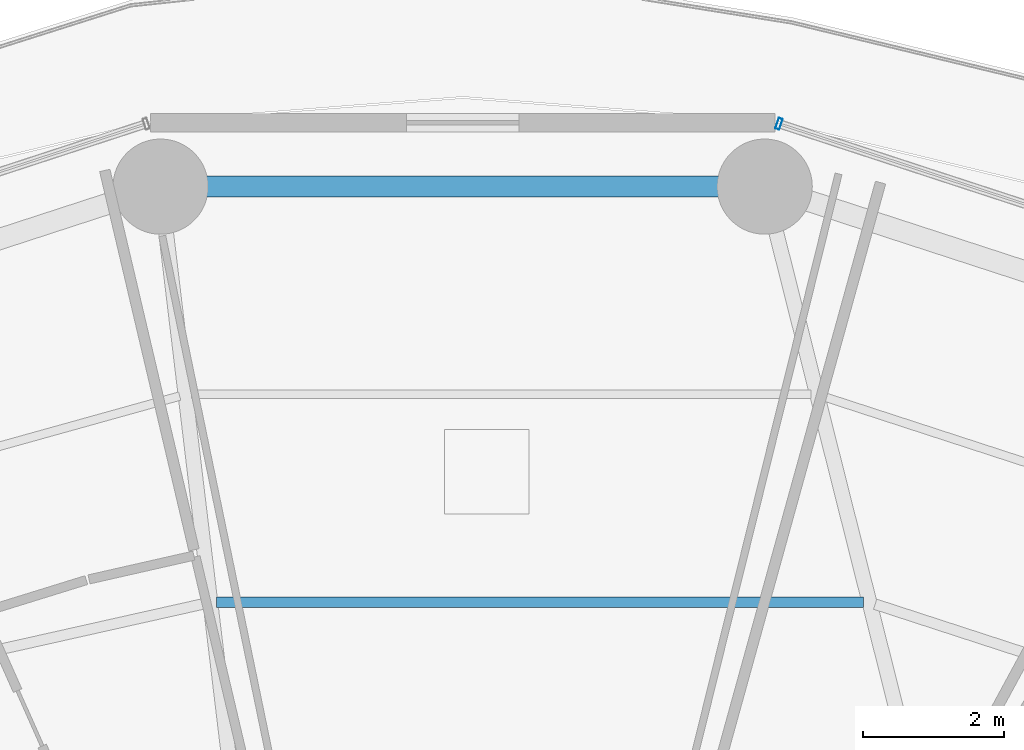
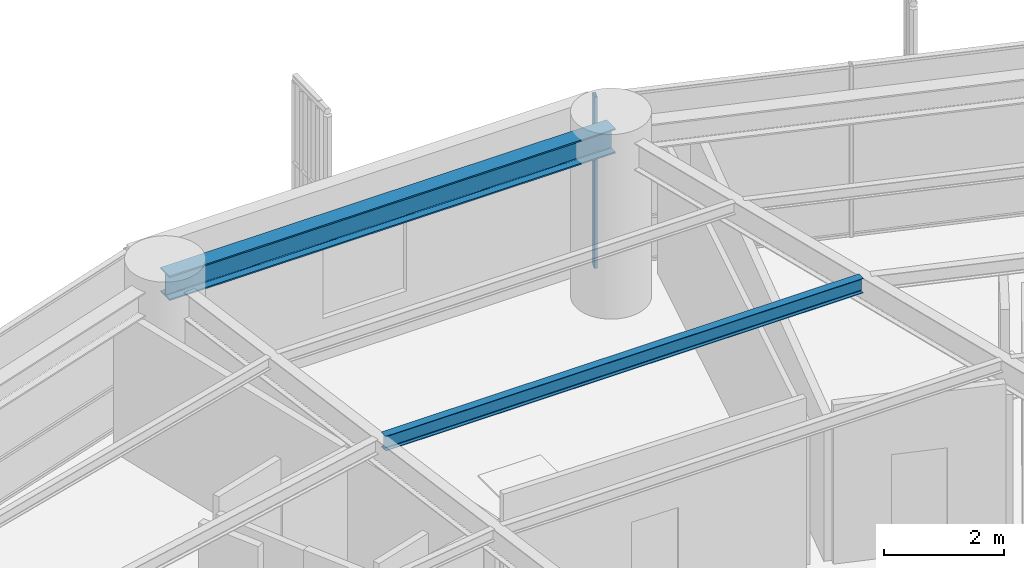
# One storey, part 22 of 36: 2 beams, 1 member, 1 element without a shape of its own.
"""IFC4 building model written with IfcOpenShell, lengths in metres."""

from ifc_helpers import new_model, si_unit, direction, frame, origin, origin_2d, place, context, subcontext, project, spatial, hollow_rectangle, i_section, extrude, material, layer, layer_set, material_profile, profile_set, type_object, element, aggregate, save


model = new_model("IFC4")

# Units and contexts
model_context = context("Model", 3, precision=1e-05, world=origin(), true_north=direction((0.0, 1.0)))
body_context = subcontext(model_context, "Body", "Model", "MODEL_VIEW")
ifc_project = project(units=[si_unit("LENGTHUNIT", "METRE"), si_unit("AREAUNIT", "SQUARE_METRE"), si_unit("VOLUMEUNIT", "CUBIC_METRE"), si_unit("PLANEANGLEUNIT", "RADIAN"), si_unit("MASSUNIT", "GRAM", prefix="KILO")], contexts=[model_context])

# Site, building, storey
site_placement = place(None, origin())
site = spatial("IfcSite", under=ifc_project, at=site_placement, CompositionType="ELEMENT")
building_placement = place(site_placement, origin())
building = spatial("IfcBuilding", under=site, at=building_placement, Name="Kelanora Arch Commons", CompositionType="ELEMENT")
storey_placement = place(building_placement, frame((0.0, 0.0, 98.85009765625)))
storey = spatial("IfcBuildingStorey", under=building, at=storey_placement, Name="L25", CompositionType="ELEMENT", Elevation=98.85009765625)

# Beams
ifc_material_1 = material(Name="Steel S355", Category="steel")
ifc_material_profile_1 = material_profile(ifc_material_1, i_section(OverallWidth=0.14990234375, OverallDepth=0.300048828125, WebThickness=0.007080078125, FlangeThickness=0.0107421875, FilletRadius=0.014892578125, at=origin_2d()), Name="IPE300")
ifc_profile_set_1 = profile_set([ifc_material_profile_1], Name="Steel S355")
beam_type_1 = type_object("IfcBeamType", Name="BM-JST-01", PredefinedType="JOIST", material=ifc_profile_set_1)
beam_1_placement = place(storey_placement, frame((79.686279296875, 73.8466796875, 3.33984375), z_axis=(-1.0, 0.0, 0.0), x_axis=(0.0, -1.0, 0.0)))
element("IfcBeam", 1, at=beam_1_placement, inside=storey, type_object=beam_type_1, Name="Secondary Chord Joist BJB-08 L25", PredefinedType="JOIST", context=body_context, shape_type="SweptSolid", body=[
    extrude(i_section(OverallWidth=0.14990234375, OverallDepth=0.300048828125, WebThickness=0.007080078125, FlangeThickness=0.0107421875, FilletRadius=0.014892578125, at=origin_2d()), origin(), (0.0, 0.0, 1.0), 9.1806640625),
])
ifc_material_profile_2 = material_profile(ifc_material_1, i_section(OverallWidth=0.300048828125, OverallDepth=0.5, WebThickness=0.014404296875, FlangeThickness=0.028076171875, FilletRadius=0.027099609375, at=origin_2d()), Name="HEB500")
ifc_profile_set_2 = profile_set([ifc_material_profile_2], Name="Steel S355")
beam_type_2 = type_object("IfcBeamType", Name="BM-SPN-Z2", PredefinedType="SPANDREL", material=ifc_profile_set_2)
beam_2_placement = place(storey_placement, frame((78.28564453125, 79.74462890625, 3.239990234375), z_axis=(-1.0, 0.0, 0.0), x_axis=(0.0, -1.0, 0.0)))
element("IfcBeam", 2, at=beam_2_placement, inside=storey, type_object=beam_type_2, Name="Perimeter Spandrel Beam BS-08 L25", PredefinedType="SPANDREL", context=body_context, shape_type="SweptSolid", body=[
    extrude(i_section(OverallWidth=0.300048828125, OverallDepth=0.5, WebThickness=0.014404296875, FlangeThickness=0.028076171875, FilletRadius=0.027099609375, at=origin_2d()), origin(), (0.0, 0.0, 1.0), 8.5712890625),
])

# Curtain wall, member
ifc_material_2 = material(Name="Terracotta ceramic-fritted low-E glass and aluminium", Category="masonry")
ifc_layer = layer(ifc_material_2, 0.159912109375)
ifc_layer_set = layer_set([ifc_layer], Name="Terracotta ceramic-fritted low-E glass and aluminium")
curtain_wall_type = type_object("IfcCurtainWallType", Name="CW-SYS-01", PredefinedType="NOTDEFINED", material=ifc_layer_set)
curtain_wall_placement = place(storey_placement, origin())
curtain_wall = element("IfcCurtainWall", 3, at=curtain_wall_placement, inside=storey, type_object=curtain_wall_type, Name="Unitised Curtain Wall L25-B03", PredefinedType="NOTDEFINED")
ifc_material_3 = material(Name="Powder-coated aluminium terracotta", Category="masonry")
ifc_material_profile_3 = material_profile(ifc_material_3, hollow_rectangle(XDim=0.159912109375, YDim=0.06005859375, WallThickness=0.0048828125, InnerFilletRadius=0.0048828125, OuterFilletRadius=0.010009765625, at=origin_2d()), Name="CWM160x60")
ifc_profile_set_3 = profile_set([ifc_material_profile_3], Name="Powder-coated aluminium terracotta")
member_type = type_object("IfcMemberType", Name="CWM-STD", PredefinedType="MULLION", material=ifc_profile_set_3)
member_placement = place(storey_placement, frame((78.48828125, 80.636474609375, 0.0), z_axis=(0.0, 0.0, 1.0), x_axis=(-0.31080470294, -0.950473795867, 0.0)))
member = element("IfcMember", 4, at=member_placement, type_object=member_type, Name="CW-01 mullion 3", PredefinedType="MULLION", context=body_context, shape_type="SweptSolid", body=[
    extrude(hollow_rectangle(XDim=0.159912109375, YDim=0.06005859375, WallThickness=0.0048828125, InnerFilletRadius=0.0048828125, OuterFilletRadius=0.010009765625, at=origin_2d()), origin(), (0.0, 0.0, 1.0), 3.474853515625),
])
aggregate(curtain_wall, [member])

save(model, "model.ifc")
